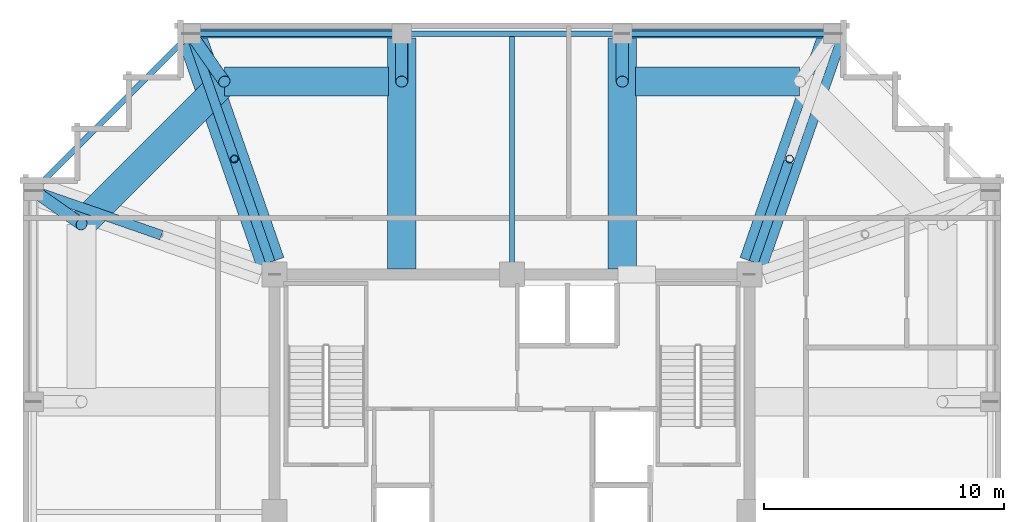
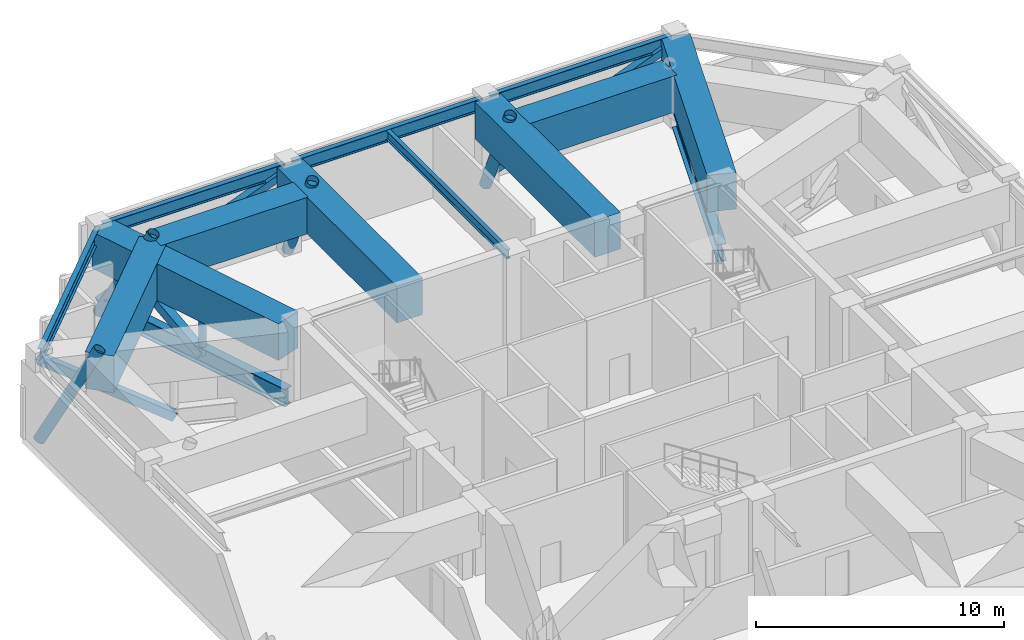
# One storey, part 6 of 14: 14 beams, 10 members.
"""IFC4 building model written with IfcOpenShell, lengths in metres."""

from ifc_helpers import new_model, si_unit, direction, frame, origin, origin_2d, place, context, subcontext, project, spatial, rectangle, hollow_rectangle, hollow_circle, i_section, extrude, material, material_profile, profile_set, type_object, element, save


model = new_model("IFC4")

# Units and contexts
model_context = context("Model", 3, precision=1e-05, world=origin(), true_north=direction((0.0, 1.0)))
body_context = subcontext(model_context, "Body", "Model", "MODEL_VIEW")
ifc_project = project(units=[si_unit("LENGTHUNIT", "METRE"), si_unit("AREAUNIT", "SQUARE_METRE"), si_unit("VOLUMEUNIT", "CUBIC_METRE"), si_unit("PLANEANGLEUNIT", "RADIAN"), si_unit("MASSUNIT", "GRAM", prefix="KILO")], contexts=[model_context])

# Site, building, storey
site_placement = place(None, origin())
site = spatial("IfcSite", under=ifc_project, at=site_placement, CompositionType="ELEMENT")
building_placement = place(site_placement, origin())
building = spatial("IfcBuilding", under=site, at=building_placement, Name="Kolvaren Belvedere", CompositionType="ELEMENT")
storey_placement = place(building_placement, frame((0.0, 0.0, 232.800048828125)))
storey = spatial("IfcBuildingStorey", under=building, at=storey_placement, Name="L68", CompositionType="ELEMENT", Elevation=232.800048828125)

# Beams
ifc_material_1 = material(Name="Structural steel ASTM A992 Grade 50", Category="steel")
ifc_material_profile_1 = material_profile(ifc_material_1, i_section(OverallWidth=0.39990234375, OverallDepth=0.85595703125, WebThickness=0.018310546875, FlangeThickness=0.029296875, FilletRadius=0.02490234375, at=origin_2d()), Name="W33X201")
ifc_profile_set_1 = profile_set([ifc_material_profile_1], Name="Structural steel ASTM A992 Grade 50")
beam_type_1 = type_object("IfcBeamType", Name="BM-GIRD-W33X201", PredefinedType="BEAM", material=ifc_profile_set_1)
for number, where, z_axis, x_axis, name in (
    (1, (10.080810546875, 10.41943359375, 0.47998046875), (0.328892811986, 0.944367258128, 0.0), (-0.944367258128, 0.328892811986, 0.0), "L68 Outrigger Truss Bottom Chord OB-5"),
    (2, (-10.080810546875, 10.41943359375, 0.47998046875), (-0.328892811986, 0.944367258128, 0.0), (-0.944367258128, -0.328892811986, 0.0), "L68 Outrigger Truss Bottom Chord OB-7"),
):
    element("IfcBeam", number, at=place(storey_placement, frame(where, z_axis=z_axis, x_axis=x_axis)), inside=storey, type_object=beam_type_1, Name=name, PredefinedType="BEAM", context=body_context, shape_type="SweptSolid", body=[
        extrude(i_section(OverallWidth=0.39990234375, OverallDepth=0.85595703125, WebThickness=0.018310546875, FlangeThickness=0.029296875, FilletRadius=0.02490234375, at=origin_2d()), origin(), (0.0, 0.0, 1.0), 9.641845703125),
    ])
ifc_material_2 = material(Name="Structural steel ASTM A992 Grade 50", Category="steel")
ifc_material_profile_2 = material_profile(ifc_material_2, i_section(OverallWidth=0.19091796875, OverallDepth=0.4599609375, WebThickness=0.010009765625, FlangeThickness=0.01611328125, FilletRadius=0.014892578125, at=origin_2d()), Name="W18X55")
ifc_profile_set_2 = profile_set([ifc_material_profile_2], Name="Structural steel ASTM A992 Grade 50")
beam_type_2 = type_object("IfcBeamType", Name="BM-JOIST-W18X55", PredefinedType="BEAM", material=ifc_profile_set_2)
beam_1_placement = place(storey_placement, frame((0.0, 10.125, 4.119873046875), z_axis=(0.0, 1.0, 0.0), x_axis=(-1.0, 0.0, 0.0)))
element("IfcBeam", 3, at=beam_1_placement, inside=storey, type_object=beam_type_2, Name="L68 North Centre Floor Beam", PredefinedType="BEAM", context=body_context, shape_type="SweptSolid", body=[
    extrude(i_section(OverallWidth=0.19091796875, OverallDepth=0.4599609375, WebThickness=0.010009765625, FlangeThickness=0.01611328125, FilletRadius=0.014892578125, at=origin_2d()), origin(), (0.0, 0.0, 1.0), 9.71044921875),
])
ifc_material_3 = material(Name="Structural steel ASTM A992 Grade 50", Category="steel")
ifc_material_profile_3 = material_profile(ifc_material_3, i_section(OverallWidth=0.22900390625, OverallDepth=0.612060546875, WebThickness=0.011962890625, FlangeThickness=0.01953125, FilletRadius=0.01806640625, at=origin_2d()), Name="W24X84")
ifc_profile_set_3 = profile_set([ifc_material_profile_3], Name="Structural steel ASTM A992 Grade 50")
beam_type_3 = type_object("IfcBeamType", Name="BM-SPAN-W24X84", PredefinedType="SPANDREL", material=ifc_profile_set_3)
beam_2_placement = place(storey_placement, frame((13.219970703125, 19.949951171875, 4.0439453125), z_axis=(-1.0, 0.0, 0.0), x_axis=(0.0, -1.0, 0.0)))
element("IfcBeam", 4, at=beam_2_placement, inside=storey, type_object=beam_type_3, Name="L68 Perimeter Spandrel N4-N3", PredefinedType="SPANDREL", context=body_context, shape_type="SweptSolid", body=[
    extrude(i_section(OverallWidth=0.22900390625, OverallDepth=0.612060546875, WebThickness=0.011962890625, FlangeThickness=0.01953125, FilletRadius=0.01806640625, at=origin_2d()), origin(), (0.0, 0.0, 1.0), 8.43994140625),
])
beam_3_placement = place(storey_placement, frame((4.419921875, 19.949951171875, 4.0439453125), z_axis=(-1.0, 0.0, 0.0), x_axis=(0.0, -1.0, 0.0)))
element("IfcBeam", 5, at=beam_3_placement, inside=storey, type_object=beam_type_3, Name="L68 Perimeter Spandrel N3-N2", PredefinedType="SPANDREL", context=body_context, shape_type="SweptSolid", body=[
    extrude(i_section(OverallWidth=0.22900390625, OverallDepth=0.612060546875, WebThickness=0.011962890625, FlangeThickness=0.01953125, FilletRadius=0.01806640625, at=origin_2d()), origin(), (0.0, 0.0, 1.0), 8.83984375),
])
beam_4_placement = place(storey_placement, frame((-4.780029296875, 19.949951171875, 4.0439453125), z_axis=(-1.0, 0.0, 0.0), x_axis=(0.0, -1.0, 0.0)))
element("IfcBeam", 6, at=beam_4_placement, inside=storey, type_object=beam_type_3, Name="L68 Perimeter Spandrel N2-N1", PredefinedType="SPANDREL", context=body_context, shape_type="SweptSolid", body=[
    extrude(i_section(OverallWidth=0.22900390625, OverallDepth=0.612060546875, WebThickness=0.011962890625, FlangeThickness=0.01953125, FilletRadius=0.01806640625, at=origin_2d()), origin(), (0.0, 0.0, 1.0), 8.43994140625),
])
beam_5_placement = place(storey_placement, frame((-13.52734375, 19.82275390625, 4.0439453125), z_axis=(-0.707106781187, -0.707106781187, 0.0), x_axis=(0.707106781187, -0.707106781187, 0.0)))
element("IfcBeam", 7, at=beam_5_placement, inside=storey, type_object=beam_type_3, Name="L68 Perimeter Spandrel N1-W4", PredefinedType="SPANDREL", context=body_context, shape_type="SweptSolid", body=[
    extrude(i_section(OverallWidth=0.22900390625, OverallDepth=0.612060546875, WebThickness=0.011962890625, FlangeThickness=0.01953125, FilletRadius=0.01806640625, at=origin_2d()), origin(), (0.0, 0.0, 1.0), 8.903076171875),
])
ifc_material_4 = material(Name="Concrete C50/60", Category="concrete")
ifc_material_profile_4 = material_profile(ifc_material_4, rectangle(XDim=1.199951171875, YDim=1.800048828125, at=origin_2d()), Name="RC 1200X1800")
ifc_profile_set_4 = profile_set([ifc_material_profile_4], Name="Concrete C50/60")
beam_type_4 = type_object("IfcBeamType", Name="BM-TG-1800", PredefinedType="BEAM", material=ifc_profile_set_4)
for number, where, z_axis, x_axis, name in (
    (8, (12.0, 17.949951171875, 3.449951171875), (-1.0, 0.0, 0.0), (0.0, -1.0, 0.0), "L68 Step Transfer Ring Girder N4-N3"),
    (9, (-5.14990234375, 17.949951171875, 3.449951171875), (-1.0, 0.0, 0.0), (0.0, -1.0, 0.0), "L68 Step Transfer Ring Girder N2-N1"),
):
    element("IfcBeam", number, at=place(storey_placement, frame(where, z_axis=z_axis, x_axis=x_axis)), inside=storey, type_object=beam_type_4, Name=name, PredefinedType="BEAM", context=body_context, shape_type="SweptSolid", body=[
        extrude(rectangle(XDim=1.199951171875, YDim=1.800048828125, at=origin_2d()), origin(), (0.0, 0.0, 1.0), 6.85009765625),
    ])
beam_6_placement = place(storey_placement, frame((-12.0, 17.949951171875, 3.449951171875), z_axis=(-0.707106781187, -0.707106781187, 0.0), x_axis=(0.707106781187, -0.707106781187, 0.0)))
element("IfcBeam", 10, at=beam_6_placement, inside=storey, type_object=beam_type_4, Name="L68 Step Transfer Ring Girder N1-W4", PredefinedType="BEAM", context=body_context, shape_type="SweptSolid", body=[
    extrude(rectangle(XDim=1.199951171875, YDim=1.800048828125, at=origin_2d()), origin(), (0.0, 0.0, 1.0), 8.41455078125),
])
for number, where, z_axis, x_axis, name in (
    (11, (4.60009765625, 10.125, 3.449951171875), (0.0, 1.0, 0.0), (-1.0, 0.0, 0.0), "L68 North Radial Girder P"),
    (12, (-4.60009765625, 10.125, 3.449951171875), (0.0, 1.0, 0.0), (-1.0, 0.0, 0.0), "L68 North Radial Girder M"),
):
    element("IfcBeam", number, at=place(storey_placement, frame(where, z_axis=z_axis, x_axis=x_axis)), inside=storey, type_object=beam_type_4, Name=name, PredefinedType="BEAM", context=body_context, shape_type="SweptSolid", body=[
        extrude(rectangle(XDim=1.199951171875, YDim=1.800048828125, at=origin_2d()), origin(), (0.0, 0.0, 1.0), 9.64501953125),
    ])
for number, where, z_axis, x_axis, name in (
    (13, (10.080810546875, 10.41943359375, 3.449951171875), (0.328898147971, 0.944365399758, 0.0), (-0.944365399758, 0.328898147971, 0.0), "L68 Corner Core-to-Perimeter Girder CC3-N4"),
    (14, (-10.080810546875, 10.41943359375, 3.449951171875), (-0.328898147971, 0.944365399758, 0.0), (-0.944365399758, -0.328898147971, 0.0), "L68 Corner Core-to-Perimeter Girder CC4-N1"),
):
    element("IfcBeam", number, at=place(storey_placement, frame(where, z_axis=z_axis, x_axis=x_axis)), inside=storey, type_object=beam_type_4, Name=name, PredefinedType="BEAM", context=body_context, shape_type="SweptSolid", body=[
        extrude(rectangle(XDim=1.199951171875, YDim=1.800048828125, at=origin_2d()), origin(), (0.0, 0.0, 1.0), 9.931884765625),
    ])

# Members
ifc_material_5 = material(Name="Structural steel ASTM A500 Grade C", Category="steel")
ifc_material_profile_5 = material_profile(ifc_material_5, hollow_rectangle(XDim=0.35595703125, YDim=0.35595703125, WallThickness=0.01171875, at=origin_2d()), Name="HSS14X14X1/2")
ifc_profile_set_5 = profile_set([ifc_material_profile_5], Name="Structural steel ASTM A500 Grade C")
member_type_1 = type_object("IfcMemberType", Name="MB-BELT-BRACE", PredefinedType="BRACE", material=ifc_profile_set_5)
for number, where, z_axis, x_axis, name in (
    (15, (-13.39990234375, 19.949951171875, 0.47998046875), (0.928473137817, 0.0, 0.371399558902), (0.0, 1.0, 0.0), "L68 Perimeter Belt Truss Brace BT-3"),
    (16, (4.60009765625, 19.949951171875, 0.47998046875), (0.928473137817, 0.0, 0.371399558902), (0.0, 1.0, 0.0), "L68 Perimeter Belt Truss Brace BT-4"),
):
    element("IfcMember", number, at=place(storey_placement, frame(where, z_axis=z_axis, x_axis=x_axis)), inside=storey, type_object=member_type_1, Name=name, PredefinedType="BRACE", context=body_context, shape_type="SweptSolid", body=[
        extrude(hollow_rectangle(XDim=0.35595703125, YDim=0.35595703125, WallThickness=0.01171875, at=origin_2d()), origin(), (0.0, 0.0, 1.0), 9.477783203125),
    ])
ifc_material_6 = material(Name="Structural steel ASTM A500 Grade C", Category="steel")
ifc_material_profile_6 = material_profile(ifc_material_6, hollow_circle(Radius=0.162109375, WallThickness=0.01171875, at=origin_2d()), Name="HSS12.750X0.500")
ifc_profile_set_6 = profile_set([ifc_material_profile_6], Name="Structural steel ASTM A500 Grade C")
member_type_2 = type_object("IfcMemberType", Name="MB-CAN-POST", PredefinedType="POST", material=ifc_profile_set_6)
for number, where, z_axis, x_axis, name in (
    (17, (11.580078125, 14.72412109375, 0.47998046875), (0.0, 0.0, 1.0), (1.0, 0.0, 0.0), "L68 Outrigger Portal Post OP-5"),
    (18, (-11.580078125, 14.72412109375, 0.47998046875), (0.0, 0.0, 1.0), (1.0, 0.0, 0.0), "L68 Outrigger Portal Post OP-7"),
):
    element("IfcMember", number, at=place(storey_placement, frame(where, z_axis=z_axis, x_axis=x_axis)), inside=storey, type_object=member_type_2, Name=name, PredefinedType="POST", context=body_context, shape_type="SweptSolid", body=[
        extrude(hollow_circle(Radius=0.162109375, WallThickness=0.01171875, at=origin_2d()), origin(), (0.0, 0.0, 1.0), 3.52001953125),
    ])
ifc_material_7 = material(Name="Structural steel ASTM A500 Grade C", Category="steel")
ifc_material_profile_7 = material_profile(ifc_material_7, hollow_rectangle(XDim=0.406005859375, YDim=0.406005859375, WallThickness=0.014892578125, at=origin_2d()), Name="HSS16X16X5/8")
ifc_profile_set_7 = profile_set([ifc_material_profile_7], Name="Structural steel ASTM A500 Grade C")
member_type_3 = type_object("IfcMemberType", Name="MB-OUTRIGGER", PredefinedType="BRACE", material=ifc_profile_set_7)
for number, where, z_axis, x_axis, name in (
    (19, (-11.580078125, 14.72412109375, 0.47998046875), (-0.27748317362, 0.796824165727, 0.536725569795), (-0.944376502414, -0.32886626718, 0.0), "L68 Outrigger Truss Diagonal OT-7A"),
    (20, (-14.72412109375, 11.580078125, 0.47998046875), (-0.796824165727, 0.27748317362, 0.536725569795), (-0.32886626718, -0.944376502414, 0.0), "L68 Outrigger Truss Diagonal OT-8A"),
):
    element("IfcMember", number, at=place(storey_placement, frame(where, z_axis=z_axis, x_axis=x_axis)), inside=storey, type_object=member_type_3, Name=name, PredefinedType="BRACE", context=body_context, shape_type="SweptSolid", body=[
        extrude(hollow_rectangle(XDim=0.406005859375, YDim=0.406005859375, WallThickness=0.014892578125, at=origin_2d()), origin(), (0.0, 0.0, 1.0), 6.558349609375),
    ])
ifc_material_8 = material(Name="Structural steel ASTM A500 Grade C", Category="steel")
ifc_material_profile_8 = material_profile(ifc_material_8, hollow_circle(Radius=0.25390625, WallThickness=0.01171875, at=origin_2d()), Name="HSS20.000X0.500")
ifc_profile_set_8 = profile_set([ifc_material_profile_8], Name="Structural steel ASTM A500 Grade C")
member_type_4 = type_object("IfcMemberType", Name="MB-WAIST-STRUT", PredefinedType="STRUT", material=ifc_profile_set_8)
member_1_placement = place(storey_placement, frame((-13.39990234375, 19.949951171875, 0.0), z_axis=(0.268822662479, -0.384059164812, 0.883307949733), x_axis=(0.819250713189, 0.573435496756, 0.0)))
element("IfcMember", 21, at=member_1_placement, inside=storey, type_object=member_type_4, Name="L68 Inclined Waist Transition Strut N1", PredefinedType="STRUT", context=body_context, shape_type="SweptSolid", body=[
    extrude(hollow_circle(Radius=0.25390625, WallThickness=0.01171875, at=origin_2d()), origin(), (0.0, 0.0, 1.0), 5.20751953125),
])
for number, where, z_axis, x_axis, name in (
    (22, (-4.60009765625, 19.949951171875, 0.0), (0.0, -0.398736790245, 0.917065413209), (1.0, 0.0, 0.0), "L68 Inclined Waist Transition Strut N2"),
    (23, (4.60009765625, 19.949951171875, 0.0), (0.0, -0.398736790245, 0.917065413209), (1.0, 0.0, 0.0), "L68 Inclined Waist Transition Strut N3"),
):
    element("IfcMember", number, at=place(storey_placement, frame(where, z_axis=z_axis, x_axis=x_axis)), inside=storey, type_object=member_type_4, Name=name, PredefinedType="STRUT", context=body_context, shape_type="SweptSolid", body=[
        extrude(hollow_circle(Radius=0.25390625, WallThickness=0.01171875, at=origin_2d()), origin(), (0.0, 0.0, 1.0), 5.015869140625),
    ])
member_2_placement = place(storey_placement, frame((-19.949951171875, 13.39990234375, 0.0), z_axis=(0.384059164812, -0.268822662479, 0.883307949733), x_axis=(0.573435496756, 0.819250713189, 0.0)))
element("IfcMember", 24, at=member_2_placement, inside=storey, type_object=member_type_4, Name="L68 Inclined Waist Transition Strut W4", PredefinedType="STRUT", context=body_context, shape_type="SweptSolid", body=[
    extrude(hollow_circle(Radius=0.25390625, WallThickness=0.01171875, at=origin_2d()), origin(), (0.0, 0.0, 1.0), 5.20751953125),
])

save(model, "model.ifc")
